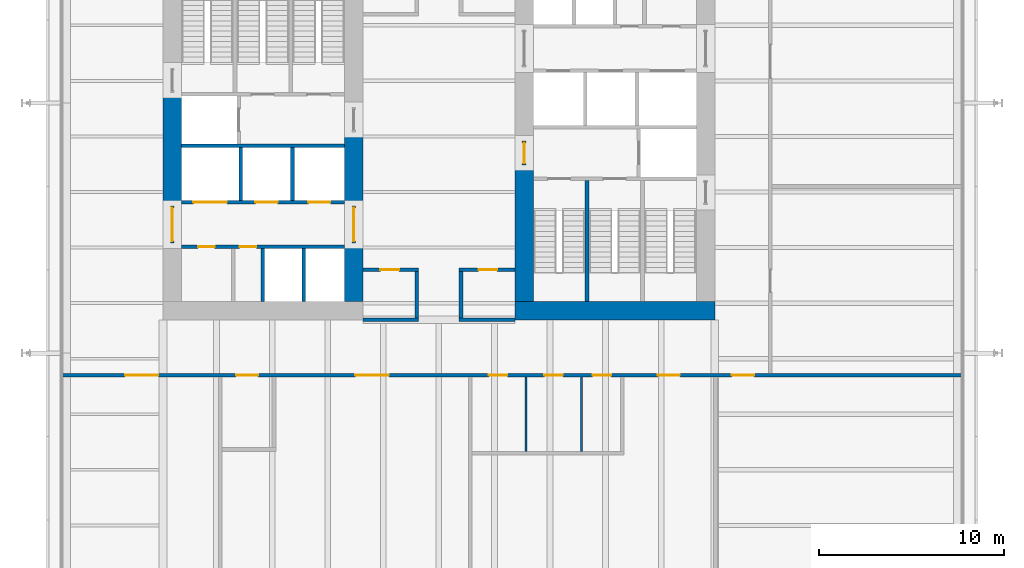
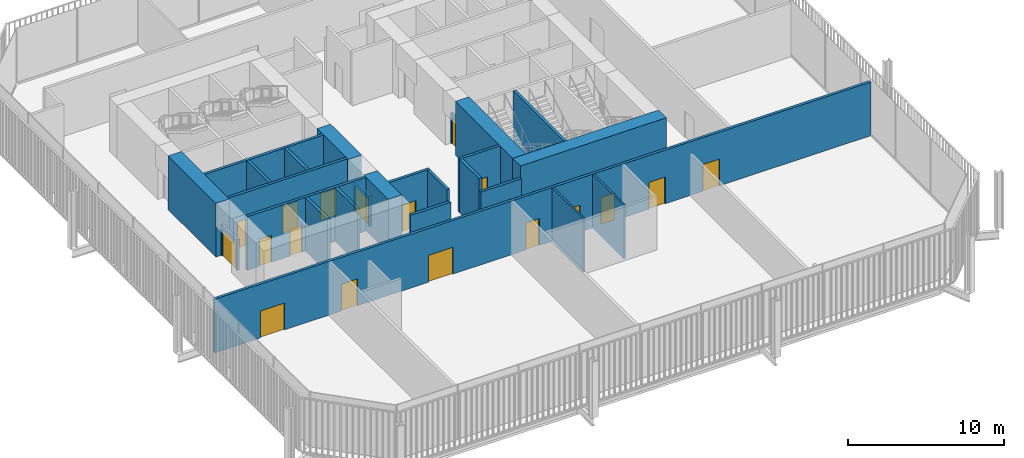
# One storey, part 16 of 20: 25 walls, 18 doors, 18 openings.
"""IFC4 building model written with IfcOpenShell, lengths in metres."""

from ifc_helpers import new_model, si_unit, direction, frame, frame_2d, origin, place, context, subcontext, project, spatial, rectangle, extrude, material, layer, layer_set, type_object, element, fill, save


model = new_model("IFC4")

# Units and contexts
model_context = context("Model", 3, precision=1e-05, world=origin(), true_north=direction((0.0, 1.0)))
body_context = subcontext(model_context, "Body", "Model", "MODEL_VIEW")
ifc_project = project(units=[si_unit("LENGTHUNIT", "METRE"), si_unit("AREAUNIT", "SQUARE_METRE"), si_unit("VOLUMEUNIT", "CUBIC_METRE"), si_unit("PLANEANGLEUNIT", "RADIAN"), si_unit("MASSUNIT", "GRAM", prefix="KILO")], contexts=[model_context])

# Site, building, storey
site_placement = place(None, origin())
site = spatial("IfcSite", under=ifc_project, at=site_placement, CompositionType="ELEMENT")
building_placement = place(site_placement, origin())
building = spatial("IfcBuilding", under=site, at=building_placement, Name="Millrace Tower", CompositionType="ELEMENT")
storey_placement = place(building_placement, frame((0.0, 0.0, 77.60009765625)))
storey = spatial("IfcBuildingStorey", under=building, at=storey_placement, Name="L17", CompositionType="ELEMENT", Elevation=77.60009765625)

# Walls
ifc_material_1 = material(Name="Concrete C80", Category="concrete")
ifc_layer_1 = layer(ifc_material_1, 1.0)
ifc_layer_set_1 = layer_set([ifc_layer_1], Name="Concrete C80")
wall_type_1 = type_object("IfcWallType", Name="Core wall 1000 Concrete C80", PredefinedType="SHEAR", material=ifc_layer_set_1)
wall_1_placement = place(storey_placement, frame((-14.39990234375, -3.75, 0.0), z_axis=(0.0, 0.0, 1.0), x_axis=(0.0, 1.0, 0.0)))
element("IfcWall", 1, at=wall_1_placement, inside=storey, type_object=wall_type_1, Name="Core wall W L17", PredefinedType="SHEAR", context=body_context, shape_type="SweptSolid", body=[
    extrude(rectangle(XDim=6.1298828125, YDim=1.0, at=frame_2d((3.06494140625, 0.0))), origin(), (0.0, 0.0, 1.0), 4.199951171875),
])
wall_2_placement = place(storey_placement, frame((-4.60009765625, -8.89990234375, 0.0), z_axis=(0.0, 0.0, 1.0), x_axis=(0.0, 1.0, 0.0)))
element("IfcWall", 2, at=wall_2_placement, inside=storey, type_object=wall_type_1, Name="Core wall W L17", PredefinedType="SHEAR", context=body_context, shape_type="SweptSolid", body=[
    extrude(rectangle(XDim=3.14990234375, YDim=1.0, at=frame_2d((1.574951171875, 0.0))), origin(), (0.0, 0.0, 1.0), 4.199951171875),
])
wall_3_placement = place(storey_placement, frame((-4.60009765625, -3.75, 0.0), z_axis=(0.0, 0.0, 1.0), x_axis=(0.0, 1.0, 0.0)))
element("IfcWall", 3, at=wall_3_placement, inside=storey, type_object=wall_type_1, Name="Core wall W L17", PredefinedType="SHEAR", context=body_context, shape_type="SweptSolid", body=[
    extrude(rectangle(XDim=4.0, YDim=1.0, at=frame_2d((2.0, 0.0))), origin(), (0.0, 0.0, 1.0), 4.199951171875),
])
wall_4_placement = place(storey_placement, frame((14.89990234375, -9.39990234375, 0.0), z_axis=(0.0, 0.0, 1.0), x_axis=(-1.0, 0.0, 0.0)))
element("IfcWall", 4, at=wall_4_placement, inside=storey, type_object=wall_type_1, Name="Core wall E L17", PredefinedType="SHEAR", context=body_context, shape_type="SweptSolid", body=[
    extrude(rectangle(XDim=10.7998046875, YDim=1.0, at=frame_2d((5.39990234375, 0.0))), origin(), (0.0, 0.0, 1.0), 4.199951171875),
])
wall_5_placement = place(storey_placement, frame((4.60009765625, -1.550048828125, 0.0), z_axis=(0.0, 0.0, 1.0), x_axis=(0.0, -1.0, 0.0)))
element("IfcWall", 5, at=wall_5_placement, inside=storey, type_object=wall_type_1, Name="Core wall E L17", PredefinedType="SHEAR", context=body_context, shape_type="SweptSolid", body=[
    extrude(rectangle(XDim=7.349853515625, YDim=1.0, at=frame_2d((3.6748046875, 0.0))), origin(), (0.0, 0.0, 1.0), 4.199951171875),
])

# Wall, openings, doors
ifc_material_2 = material(Name="Masonry partition, fire-rated", Category="masonry")
ifc_layer_2 = layer(ifc_material_2, 0.199951171875)
ifc_layer_set_2 = layer_set([ifc_layer_2], Name="Masonry partition, fire-rated")
wall_type_2 = type_object("IfcWallType", Name="Corridor wall 200", PredefinedType="PARTITIONING", material=ifc_layer_set_2)
wall_6_placement = place(storey_placement, frame((-20.330078125, -12.89990234375, 0.0), z_axis=(0.0, 0.0, 1.0), x_axis=(1.0, 0.0, 0.0)))
wall_6 = element("IfcWall", 6, at=wall_6_placement, inside=storey, type_object=wall_type_2, Name="Corridor wall L17", PredefinedType="PARTITIONING", context=body_context, shape_type="SweptSolid", body=[
    extrude(rectangle(XDim=48.56005859375, YDim=0.199951171875, at=frame_2d((24.280029296875, 0.0))), origin(), (0.0, 0.0, 1.0), 4.199951171875),
])
opening_1_placement = place(wall_6_placement, frame((3.389892578125, 0.0, 0.0)))
opening_1 = element("IfcOpeningElement", 7, at=opening_1_placement, cuts=wall_6, Name="Opening 17-P005", PredefinedType="OPENING", context=body_context, shape_type="SweptSolid", body=[
    extrude(rectangle(XDim=1.800048828125, YDim=2.10009765625, at=frame_2d((0.89990234375, 1.050048828125))), frame((0.0, 0.10986328125, 0.0), z_axis=(0.0, -1.0, 0.0), x_axis=(1.0, 0.0, 0.0)), (0.0, 0.0, 1.0), 0.219970703125),
])
opening_2_placement = place(wall_6_placement, frame((15.830078125, 0.0, 0.0)))
opening_2 = element("IfcOpeningElement", 8, at=opening_2_placement, cuts=wall_6, Name="Opening 17-P006", PredefinedType="OPENING", context=body_context, shape_type="SweptSolid", body=[
    extrude(rectangle(XDim=1.800048828125, YDim=2.10009765625, at=frame_2d((0.89990234375, 1.050048828125))), frame((0.0, 0.10986328125, 0.0), z_axis=(0.0, -1.0, 0.0), x_axis=(1.0, 0.0, 0.0)), (0.0, 0.0, 1.0), 0.219970703125),
])
opening_3_placement = place(wall_6_placement, frame((9.3798828125, 0.0, 0.0)))
opening_3 = element("IfcOpeningElement", 9, at=opening_3_placement, cuts=wall_6, Name="Opening 17-P007", PredefinedType="OPENING", context=body_context, shape_type="SweptSolid", body=[
    extrude(rectangle(XDim=1.199951171875, YDim=2.10009765625, at=frame_2d((0.60009765625, 1.050048828125))), frame((0.0, 0.10986328125, 0.0), z_axis=(0.0, -1.0, 0.0), x_axis=(1.0, 0.0, 0.0)), (0.0, 0.0, 1.0), 0.219970703125),
])
opening_4_placement = place(wall_6_placement, frame((32.14990234375, 0.0, 0.0)))
opening_4 = element("IfcOpeningElement", 10, at=opening_4_placement, cuts=wall_6, Name="Opening 17-P008", PredefinedType="OPENING", context=body_context, shape_type="SweptSolid", body=[
    extrude(rectangle(XDim=1.199951171875, YDim=2.10009765625, at=frame_2d((0.60009765625, 1.050048828125))), frame((0.0, 0.10986328125, 0.0), z_axis=(0.0, -1.0, 0.0), x_axis=(1.0, 0.0, 0.0)), (0.0, 0.0, 1.0), 0.219970703125),
])
opening_5_placement = place(wall_6_placement, frame((36.155029296875, 0.0, 0.0)))
opening_5 = element("IfcOpeningElement", 11, at=opening_5_placement, cuts=wall_6, Name="Opening 17-P009", PredefinedType="OPENING", context=body_context, shape_type="SweptSolid", body=[
    extrude(rectangle(XDim=1.199951171875, YDim=2.10009765625, at=frame_2d((0.60009765625, 1.050048828125))), frame((0.0, 0.10986328125, 0.0), z_axis=(0.0, -1.0, 0.0), x_axis=(1.0, 0.0, 0.0)), (0.0, 0.0, 1.0), 0.219970703125),
])
opening_6_placement = place(wall_6_placement, frame((23.030029296875, 0.0, 0.0)))
opening_6 = element("IfcOpeningElement", 12, at=opening_6_placement, cuts=wall_6, Name="Opening 17-P017", PredefinedType="OPENING", context=body_context, shape_type="SweptSolid", body=[
    extrude(rectangle(XDim=1.0, YDim=2.10009765625, at=frame_2d((0.5, 1.050048828125))), frame((0.0, 0.10986328125, 0.0), z_axis=(0.0, -1.0, 0.0), x_axis=(1.0, 0.0, 0.0)), (0.0, 0.0, 1.0), 0.219970703125),
])
opening_7_placement = place(wall_6_placement, frame((26.030029296875, 0.0, 0.0)))
opening_7 = element("IfcOpeningElement", 13, at=opening_7_placement, cuts=wall_6, Name="Opening 17-P018", PredefinedType="OPENING", context=body_context, shape_type="SweptSolid", body=[
    extrude(rectangle(XDim=1.0, YDim=2.10009765625, at=frame_2d((0.5, 1.050048828125))), frame((0.0, 0.10986328125, 0.0), z_axis=(0.0, -1.0, 0.0), x_axis=(1.0, 0.0, 0.0)), (0.0, 0.0, 1.0), 0.219970703125),
])
opening_8_placement = place(wall_6_placement, frame((28.6298828125, 0.0, 0.0)))
opening_8 = element("IfcOpeningElement", 14, at=opening_8_placement, cuts=wall_6, Name="Opening 17-P019", PredefinedType="OPENING", context=body_context, shape_type="SweptSolid", body=[
    extrude(rectangle(XDim=1.0, YDim=2.10009765625, at=frame_2d((0.5, 1.050048828125))), frame((0.0, 0.10986328125, 0.0), z_axis=(0.0, -1.0, 0.0), x_axis=(1.0, 0.0, 0.0)), (0.0, 0.0, 1.0), 0.219970703125),
])
ifc_material_3 = material(Name="Steel door set, fire-rated", Category="steel")
door_type_1 = type_object("IfcDoorType", Name="Corridor door 1000 x 2100", OperationType="SINGLE_SWING_LEFT", PredefinedType="DOOR", material=ifc_material_3)
door_1_placement = place(opening_6_placement, frame((1.0, 0.0, 0.0), z_axis=(0.0, 0.0, 1.0), x_axis=(-1.0, 0.0, 0.0)))
door_1 = element("IfcDoor", 15, at=door_1_placement, inside=storey, type_object=door_type_1, Name="Door 17-P017", OperationType="SINGLE_SWING_RIGHT", OverallHeight=2.10009765625, OverallWidth=1.0, PredefinedType="DOOR", context=body_context, shape_type="SweptSolid", body=[
    extrude(rectangle(XDim=1.0, YDim=2.10009765625, at=frame_2d((0.5, 1.050048828125))), frame((0.0, 0.02490234375, 0.0), z_axis=(0.0, -1.0, 0.0), x_axis=(1.0, 0.0, 0.0)), (0.0, 0.0, 1.0), 0.050048828125),
])
fill(opening_6, door_1)
door_2_placement = place(opening_7_placement, frame((1.0, 0.0, 0.0), z_axis=(0.0, 0.0, 1.0), x_axis=(-1.0, 0.0, 0.0)))
door_2 = element("IfcDoor", 16, at=door_2_placement, inside=storey, type_object=door_type_1, Name="Door 17-P018", OperationType="SINGLE_SWING_LEFT", OverallHeight=2.10009765625, OverallWidth=1.0, PredefinedType="DOOR", context=body_context, shape_type="SweptSolid", body=[
    extrude(rectangle(XDim=1.0, YDim=2.10009765625, at=frame_2d((0.5, 1.050048828125))), frame((0.0, 0.02490234375, 0.0), z_axis=(0.0, -1.0, 0.0), x_axis=(1.0, 0.0, 0.0)), (0.0, 0.0, 1.0), 0.050048828125),
])
fill(opening_7, door_2)
door_3_placement = place(opening_8_placement, frame((1.0, 0.0, 0.0), z_axis=(0.0, 0.0, 1.0), x_axis=(-1.0, 0.0, 0.0)))
door_3 = element("IfcDoor", 17, at=door_3_placement, inside=storey, type_object=door_type_1, Name="Door 17-P019", OperationType="SINGLE_SWING_LEFT", OverallHeight=2.10009765625, OverallWidth=1.0, PredefinedType="DOOR", context=body_context, shape_type="SweptSolid", body=[
    extrude(rectangle(XDim=1.0, YDim=2.10009765625, at=frame_2d((0.5, 1.050048828125))), frame((0.0, 0.02490234375, 0.0), z_axis=(0.0, -1.0, 0.0), x_axis=(1.0, 0.0, 0.0)), (0.0, 0.0, 1.0), 0.050048828125),
])
fill(opening_8, door_3)
ifc_material_4 = material(Name="Steel door set, fire-rated", Category="steel")
door_type_2 = type_object("IfcDoorType", Name="Corridor door 1200 x 2100", OperationType="SINGLE_SWING_LEFT", PredefinedType="DOOR", material=ifc_material_4)
door_4_placement = place(opening_3_placement, frame((1.199951171875, 0.0, 0.0), z_axis=(0.0, 0.0, 1.0), x_axis=(-1.0, 0.0, 0.0)))
door_4 = element("IfcDoor", 18, at=door_4_placement, inside=storey, type_object=door_type_2, Name="Door 17-P007", OperationType="SINGLE_SWING_RIGHT", OverallHeight=2.10009765625, OverallWidth=1.199951171875, PredefinedType="DOOR", context=body_context, shape_type="SweptSolid", body=[
    extrude(rectangle(XDim=1.199951171875, YDim=2.10009765625, at=frame_2d((0.60009765625, 1.050048828125))), frame((0.0, 0.02490234375, 0.0), z_axis=(0.0, -1.0, 0.0), x_axis=(1.0, 0.0, 0.0)), (0.0, 0.0, 1.0), 0.050048828125),
])
fill(opening_3, door_4)
ifc_material_5 = material(Name="Steel door set, fire-rated", Category="steel")
door_type_3 = type_object("IfcDoorType", Name="Data hall door 1200 x 2100", OperationType="SINGLE_SWING_LEFT", PredefinedType="DOOR", material=ifc_material_5)
door_5_placement = place(opening_4_placement, frame((1.199951171875, 0.0, 0.0), z_axis=(0.0, 0.0, 1.0), x_axis=(-1.0, 0.0, 0.0)))
door_5 = element("IfcDoor", 19, at=door_5_placement, inside=storey, type_object=door_type_3, Name="Door 17-P008", OperationType="SINGLE_SWING_LEFT", OverallHeight=2.10009765625, OverallWidth=1.199951171875, PredefinedType="DOOR", context=body_context, shape_type="SweptSolid", body=[
    extrude(rectangle(XDim=1.199951171875, YDim=2.10009765625, at=frame_2d((0.60009765625, 1.050048828125))), frame((0.0, 0.02490234375, 0.0), z_axis=(0.0, -1.0, 0.0), x_axis=(1.0, 0.0, 0.0)), (0.0, 0.0, 1.0), 0.050048828125),
])
fill(opening_4, door_5)
door_6_placement = place(opening_5_placement, frame((1.199951171875, 0.0, 0.0), z_axis=(0.0, 0.0, 1.0), x_axis=(-1.0, 0.0, 0.0)))
door_6 = element("IfcDoor", 20, at=door_6_placement, inside=storey, type_object=door_type_3, Name="Door 17-P009", OperationType="SINGLE_SWING_LEFT", OverallHeight=2.10009765625, OverallWidth=1.199951171875, PredefinedType="DOOR", context=body_context, shape_type="SweptSolid", body=[
    extrude(rectangle(XDim=1.199951171875, YDim=2.10009765625, at=frame_2d((0.60009765625, 1.050048828125))), frame((0.0, 0.02490234375, 0.0), z_axis=(0.0, -1.0, 0.0), x_axis=(1.0, 0.0, 0.0)), (0.0, 0.0, 1.0), 0.050048828125),
])
fill(opening_5, door_6)
ifc_material_6 = material(Name="Steel door set, fire-rated", Category="steel")
door_type_4 = type_object("IfcDoorType", Name="Data hall door 1800 x 2100", OperationType="DOUBLE_DOOR_SINGLE_SWING", PredefinedType="DOOR", material=ifc_material_6)
door_7_placement = place(opening_1_placement, frame((1.800048828125, 0.0, 0.0), z_axis=(0.0, 0.0, 1.0), x_axis=(-1.0, 0.0, 0.0)))
door_7 = element("IfcDoor", 21, at=door_7_placement, inside=storey, type_object=door_type_4, Name="Door 17-P005", OperationType="DOUBLE_DOOR_SINGLE_SWING", OverallHeight=2.10009765625, OverallWidth=1.800048828125, PredefinedType="DOOR", context=body_context, shape_type="SweptSolid", body=[
    extrude(rectangle(XDim=1.800048828125, YDim=2.10009765625, at=frame_2d((0.89990234375, 1.050048828125))), frame((0.0, 0.02490234375, 0.0), z_axis=(0.0, -1.0, 0.0), x_axis=(1.0, 0.0, 0.0)), (0.0, 0.0, 1.0), 0.050048828125),
])
fill(opening_1, door_7)
door_8_placement = place(opening_2_placement, frame((1.800048828125, 0.0, 0.0), z_axis=(0.0, 0.0, 1.0), x_axis=(-1.0, 0.0, 0.0)))
door_8 = element("IfcDoor", 22, at=door_8_placement, inside=storey, type_object=door_type_4, Name="Door 17-P006", OperationType="DOUBLE_DOOR_SINGLE_SWING", OverallHeight=2.10009765625, OverallWidth=1.800048828125, PredefinedType="DOOR", context=body_context, shape_type="SweptSolid", body=[
    extrude(rectangle(XDim=1.800048828125, YDim=2.10009765625, at=frame_2d((0.89990234375, 1.050048828125))), frame((0.0, 0.02490234375, 0.0), z_axis=(0.0, -1.0, 0.0), x_axis=(1.0, 0.0, 0.0)), (0.0, 0.0, 1.0), 0.050048828125),
])
fill(opening_2, door_8)

# Walls
for number, where, z_axis, x_axis, name in (
    (23, (-4.10009765625, -9.89990234375, 0.0), (0.0, 0.0, 1.0), (1.0, 0.0, 0.0), "Corridor wall L17"),
    (24, (1.10009765625, -9.89990234375, 0.0), (0.0, 0.0, 1.0), (1.0, 0.0, 0.0), "Corridor wall L17"),
):
    element("IfcWall", number, at=place(storey_placement, frame(where, z_axis=z_axis, x_axis=x_axis)), inside=storey, type_object=wall_type_2, Name=name, PredefinedType="PARTITIONING", context=body_context, shape_type="SweptSolid", body=[
        extrude(rectangle(XDim=3.0, YDim=0.199951171875, at=frame_2d((1.5, 0.0))), origin(), (0.0, 0.0, 1.0), 3.2626953125),
    ])

# Wall, opening, door
wall_7_placement = place(storey_placement, frame((-4.10009765625, -7.199951171875, 0.0), z_axis=(0.0, 0.0, 1.0), x_axis=(1.0, 0.0, 0.0)))
wall_7 = element("IfcWall", 25, at=wall_7_placement, inside=storey, type_object=wall_type_2, Name="Corridor wall L17", PredefinedType="PARTITIONING", context=body_context, shape_type="SweptSolid", body=[
    extrude(rectangle(XDim=3.0, YDim=0.199951171875, at=frame_2d((1.5, 0.0))), origin(), (0.0, 0.0, 1.0), 4.199951171875),
])
opening_9_placement = place(wall_7_placement, frame((0.949951171875, 0.0, 0.0)))
opening_9 = element("IfcOpeningElement", 26, at=opening_9_placement, cuts=wall_7, Name="Opening 17-P003", PredefinedType="OPENING", context=body_context, shape_type="SweptSolid", body=[
    extrude(rectangle(XDim=1.0, YDim=2.10009765625, at=frame_2d((0.5, 1.050048828125))), frame((0.0, 0.10986328125, 0.0), z_axis=(0.0, -1.0, 0.0), x_axis=(1.0, 0.0, 0.0)), (0.0, 0.0, 1.0), 0.219970703125),
])
door_9_placement = place(opening_9_placement, frame((1.0, 0.0, 0.0), z_axis=(0.0, 0.0, 1.0), x_axis=(-1.0, 0.0, 0.0)))
door_9 = element("IfcDoor", 27, at=door_9_placement, inside=storey, type_object=door_type_1, Name="Door 17-P003", OperationType="SINGLE_SWING_RIGHT", OverallHeight=2.10009765625, OverallWidth=1.0, PredefinedType="DOOR", context=body_context, shape_type="SweptSolid", body=[
    extrude(rectangle(XDim=1.0, YDim=2.10009765625, at=frame_2d((0.5, 1.050048828125))), frame((0.0, 0.02490234375, 0.0), z_axis=(0.0, -1.0, 0.0), x_axis=(1.0, 0.0, 0.0)), (0.0, 0.0, 1.0), 0.050048828125),
])
fill(opening_9, door_9)

wall_8_placement = place(storey_placement, frame((1.10009765625, -7.199951171875, 0.0), z_axis=(0.0, 0.0, 1.0), x_axis=(1.0, 0.0, 0.0)))
wall_8 = element("IfcWall", 28, at=wall_8_placement, inside=storey, type_object=wall_type_2, Name="Corridor wall L17", PredefinedType="PARTITIONING", context=body_context, shape_type="SweptSolid", body=[
    extrude(rectangle(XDim=3.0, YDim=0.199951171875, at=frame_2d((1.5, 0.0))), origin(), (0.0, 0.0, 1.0), 4.199951171875),
])
opening_10_placement = place(wall_8_placement, frame((1.050048828125, 0.0, 0.0)))
opening_10 = element("IfcOpeningElement", 29, at=opening_10_placement, cuts=wall_8, Name="Opening 17-P004", PredefinedType="OPENING", context=body_context, shape_type="SweptSolid", body=[
    extrude(rectangle(XDim=1.0, YDim=2.10009765625, at=frame_2d((0.5, 1.050048828125))), frame((0.0, 0.10986328125, 0.0), z_axis=(0.0, -1.0, 0.0), x_axis=(1.0, 0.0, 0.0)), (0.0, 0.0, 1.0), 0.219970703125),
])
door_10_placement = place(opening_10_placement, frame((1.0, 0.0, 0.0), z_axis=(0.0, 0.0, 1.0), x_axis=(-1.0, 0.0, 0.0)))
door_10 = element("IfcDoor", 30, at=door_10_placement, inside=storey, type_object=door_type_1, Name="Door 17-P004", OperationType="SINGLE_SWING_RIGHT", OverallHeight=2.10009765625, OverallWidth=1.0, PredefinedType="DOOR", context=body_context, shape_type="SweptSolid", body=[
    extrude(rectangle(XDim=1.0, YDim=2.10009765625, at=frame_2d((0.5, 1.050048828125))), frame((0.0, 0.02490234375, 0.0), z_axis=(0.0, -1.0, 0.0), x_axis=(1.0, 0.0, 0.0)), (0.0, 0.0, 1.0), 0.050048828125),
])
fill(opening_10, door_10)

# Walls
for number, where, z_axis, x_axis, name in (
    (31, (1.199951171875, -9.800048828125, 0.0), (0.0, 0.0, 1.0), (0.0, 1.0, 0.0), "Corridor wall L17"),
    (32, (-1.199951171875, -9.800048828125, 0.0), (0.0, 0.0, 1.0), (0.0, 1.0, 0.0), "Corridor wall L17"),
):
    element("IfcWall", number, at=place(storey_placement, frame(where, z_axis=z_axis, x_axis=x_axis)), inside=storey, type_object=wall_type_2, Name=name, PredefinedType="PARTITIONING", context=body_context, shape_type="SweptSolid", body=[
        extrude(rectangle(XDim=2.5, YDim=0.199951171875, at=frame_2d((1.25, 0.0))), origin(), (0.0, 0.0, 1.0), 4.199951171875),
    ])

# Wall, openings, doors
ifc_material_7 = material(Name="Masonry partition, fire-rated", Category="masonry")
ifc_layer_3 = layer(ifc_material_7, 0.199951171875)
ifc_layer_set_3 = layer_set([ifc_layer_3], Name="Masonry partition, fire-rated")
wall_type_3 = type_object("IfcWallType", Name="Lift shaft wall 200", PredefinedType="PARTITIONING", material=ifc_layer_set_3)
wall_9_placement = place(storey_placement, frame((-13.89990234375, -5.949951171875, 0.0), z_axis=(0.0, 0.0, 1.0), x_axis=(1.0, 0.0, 0.0)))
wall_9 = element("IfcWall", 33, at=wall_9_placement, inside=storey, type_object=wall_type_3, Name="Lift shaft wall W L17", PredefinedType="PARTITIONING", context=body_context, shape_type="SweptSolid", body=[
    extrude(rectangle(XDim=8.7998046875, YDim=0.199951171875, at=frame_2d((4.39990234375, 0.0))), origin(), (0.0, 0.0, 1.0), 4.199951171875),
])
opening_11_placement = place(wall_9_placement, frame((0.8974609375, 0.0, 0.0)))
opening_11 = element("IfcOpeningElement", 34, at=opening_11_placement, cuts=wall_9, Name="Opening 17-C005", PredefinedType="OPENING", context=body_context, shape_type="SweptSolid", body=[
    extrude(rectangle(XDim=0.89990234375, YDim=2.10009765625, at=frame_2d((0.449951171875, 1.050048828125))), frame((0.0, 0.10986328125, 0.0), z_axis=(0.0, -1.0, 0.0), x_axis=(1.0, 0.0, 0.0)), (0.0, 0.0, 1.0), 0.219970703125),
])
opening_12_placement = place(wall_9_placement, frame((3.1474609375, 0.0, 0.0)))
opening_12 = element("IfcOpeningElement", 35, at=opening_12_placement, cuts=wall_9, Name="Opening 17-C006", PredefinedType="OPENING", context=body_context, shape_type="SweptSolid", body=[
    extrude(rectangle(XDim=0.89990234375, YDim=2.10009765625, at=frame_2d((0.449951171875, 1.050048828125))), frame((0.0, 0.10986328125, 0.0), z_axis=(0.0, -1.0, 0.0), x_axis=(1.0, 0.0, 0.0)), (0.0, 0.0, 1.0), 0.219970703125),
])
ifc_material_8 = material(Name="Steel door, fire-rated", Category="steel")
door_type_5 = type_object("IfcDoorType", Name="Service room door 900 x 2100", OperationType="SINGLE_SWING_LEFT", PredefinedType="DOOR", material=ifc_material_8)
door_11_placement = place(opening_11_placement, frame((0.89990234375, 0.0, 0.0), z_axis=(0.0, 0.0, 1.0), x_axis=(-1.0, 0.0, 0.0)))
door_11 = element("IfcDoor", 36, at=door_11_placement, inside=storey, type_object=door_type_5, Name="Service room door 17-C005", OperationType="SINGLE_SWING_RIGHT", OverallHeight=2.10009765625, OverallWidth=0.89990234375, PredefinedType="DOOR", context=body_context, shape_type="SweptSolid", body=[
    extrude(rectangle(XDim=0.89990234375, YDim=2.10009765625, at=frame_2d((0.449951171875, 1.050048828125))), frame((0.0, 0.02490234375, 0.0), z_axis=(0.0, -1.0, 0.0), x_axis=(1.0, 0.0, 0.0)), (0.0, 0.0, 1.0), 0.050048828125),
])
fill(opening_11, door_11)
door_12_placement = place(opening_12_placement, frame((0.89990234375, 0.0, 0.0), z_axis=(0.0, 0.0, 1.0), x_axis=(-1.0, 0.0, 0.0)))
door_12 = element("IfcDoor", 37, at=door_12_placement, inside=storey, type_object=door_type_5, Name="Service room door 17-C006", OperationType="SINGLE_SWING_RIGHT", OverallHeight=2.10009765625, OverallWidth=0.89990234375, PredefinedType="DOOR", context=body_context, shape_type="SweptSolid", body=[
    extrude(rectangle(XDim=0.89990234375, YDim=2.10009765625, at=frame_2d((0.449951171875, 1.050048828125))), frame((0.0, 0.02490234375, 0.0), z_axis=(0.0, -1.0, 0.0), x_axis=(1.0, 0.0, 0.0)), (0.0, 0.0, 1.0), 0.050048828125),
])
fill(opening_12, door_12)

wall_10_placement = place(storey_placement, frame((-13.89990234375, -3.550048828125, 0.0), z_axis=(0.0, 0.0, 1.0), x_axis=(1.0, 0.0, 0.0)))
wall_10 = element("IfcWall", 38, at=wall_10_placement, inside=storey, type_object=wall_type_3, Name="Lift shaft wall W L17", PredefinedType="PARTITIONING", context=body_context, shape_type="SweptSolid", body=[
    extrude(rectangle(XDim=8.7998046875, YDim=0.199951171875, at=frame_2d((4.39990234375, 0.0))), origin(), (0.0, 0.0, 1.0), 4.199951171875),
])
opening_13_placement = place(wall_10_placement, frame((0.64990234375, 0.0, 0.0)))
opening_13 = element("IfcOpeningElement", 39, at=opening_13_placement, cuts=wall_10, Name="Opening 17-LD05", PredefinedType="OPENING", context=body_context, shape_type="SweptSolid", body=[
    extrude(rectangle(XDim=1.800048828125, YDim=2.10009765625, at=frame_2d((0.89990234375, 1.050048828125))), frame((0.0, 0.10986328125, 0.0), z_axis=(0.0, -1.0, 0.0), x_axis=(1.0, 0.0, 0.0)), (0.0, 0.0, 1.0), 0.219970703125),
])
opening_14_placement = place(wall_10_placement, frame((4.0, 0.0, 0.0)))
opening_14 = element("IfcOpeningElement", 40, at=opening_14_placement, cuts=wall_10, Name="Opening 17-LD06", PredefinedType="OPENING", context=body_context, shape_type="SweptSolid", body=[
    extrude(rectangle(XDim=1.199951171875, YDim=2.10009765625, at=frame_2d((0.60009765625, 1.050048828125))), frame((0.0, 0.10986328125, 0.0), z_axis=(0.0, -1.0, 0.0), x_axis=(1.0, 0.0, 0.0)), (0.0, 0.0, 1.0), 0.219970703125),
])
opening_15_placement = place(wall_10_placement, frame((6.85009765625, 0.0, 0.0)))
opening_15 = element("IfcOpeningElement", 41, at=opening_15_placement, cuts=wall_10, Name="Opening 17-LD07", PredefinedType="OPENING", context=body_context, shape_type="SweptSolid", body=[
    extrude(rectangle(XDim=1.199951171875, YDim=2.10009765625, at=frame_2d((0.60009765625, 1.050048828125))), frame((0.0, 0.10986328125, 0.0), z_axis=(0.0, -1.0, 0.0), x_axis=(1.0, 0.0, 0.0)), (0.0, 0.0, 1.0), 0.219970703125),
])
ifc_material_9 = material(Name="Stainless steel, fire-rated", Category="steel")
door_type_6 = type_object("IfcDoorType", Name="Lift landing door 1200 x 2100", OperationType="DOUBLE_DOOR_SLIDING", PredefinedType="DOOR", material=ifc_material_9)
door_13_placement = place(opening_14_placement, origin())
door_13 = element("IfcDoor", 42, at=door_13_placement, inside=storey, type_object=door_type_6, Name="Lift landing door LF6 L17", OperationType="DOUBLE_DOOR_SLIDING", OverallHeight=2.10009765625, OverallWidth=1.199951171875, PredefinedType="DOOR", context=body_context, shape_type="SweptSolid", body=[
    extrude(rectangle(XDim=1.199951171875, YDim=2.10009765625, at=frame_2d((0.60009765625, 1.050048828125))), frame((0.0, 0.02490234375, 0.0), z_axis=(0.0, -1.0, 0.0), x_axis=(1.0, 0.0, 0.0)), (0.0, 0.0, 1.0), 0.050048828125),
])
fill(opening_14, door_13)
door_14_placement = place(opening_15_placement, origin())
door_14 = element("IfcDoor", 43, at=door_14_placement, inside=storey, type_object=door_type_6, Name="Lift landing door LF7 L17", OperationType="DOUBLE_DOOR_SLIDING", OverallHeight=2.10009765625, OverallWidth=1.199951171875, PredefinedType="DOOR", context=body_context, shape_type="SweptSolid", body=[
    extrude(rectangle(XDim=1.199951171875, YDim=2.10009765625, at=frame_2d((0.60009765625, 1.050048828125))), frame((0.0, 0.02490234375, 0.0), z_axis=(0.0, -1.0, 0.0), x_axis=(1.0, 0.0, 0.0)), (0.0, 0.0, 1.0), 0.050048828125),
])
fill(opening_15, door_14)
ifc_material_10 = material(Name="Stainless steel, fire-rated", Category="steel")
door_type_7 = type_object("IfcDoorType", Name="Lift landing door 1800 x 2100", OperationType="DOUBLE_DOOR_SLIDING", PredefinedType="DOOR", material=ifc_material_10)
door_15_placement = place(opening_13_placement, origin())
door_15 = element("IfcDoor", 44, at=door_15_placement, inside=storey, type_object=door_type_7, Name="Lift landing door LF5 L17", OperationType="DOUBLE_DOOR_SLIDING", OverallHeight=2.10009765625, OverallWidth=1.800048828125, PredefinedType="DOOR", context=body_context, shape_type="SweptSolid", body=[
    extrude(rectangle(XDim=1.800048828125, YDim=2.10009765625, at=frame_2d((0.89990234375, 1.050048828125))), frame((0.0, 0.02490234375, 0.0), z_axis=(0.0, -1.0, 0.0), x_axis=(1.0, 0.0, 0.0)), (0.0, 0.0, 1.0), 0.050048828125),
])
fill(opening_13, door_15)

# Walls
wall_11_placement = place(storey_placement, frame((-13.89990234375, -0.5, 0.0), z_axis=(0.0, 0.0, 1.0), x_axis=(1.0, 0.0, 0.0)))
element("IfcWall", 45, at=wall_11_placement, inside=storey, type_object=wall_type_3, Name="Lift shaft wall W L17", PredefinedType="PARTITIONING", context=body_context, shape_type="SweptSolid", body=[
    extrude(rectangle(XDim=8.7998046875, YDim=0.199951171875, at=frame_2d((4.39990234375, 0.0))), origin(), (0.0, 0.0, 1.0), 4.199951171875),
])
for number, where, z_axis, x_axis, name in (
    (46, (-9.5, -8.89990234375, 0.0), (0.0, 0.0, 1.0), (0.0, 1.0, 0.0), "Lift shaft wall W L17"),
    (47, (-7.300048828125, -8.89990234375, 0.0), (0.0, 0.0, 1.0), (0.0, 1.0, 0.0), "Lift shaft wall W L17"),
    (48, (-10.699951171875, -3.449951171875, 0.0), (0.0, 0.0, 1.0), (0.0, 1.0, 0.0), "Lift shaft wall W L17"),
    (49, (-7.89990234375, -3.449951171875, 0.0), (0.0, 0.0, 1.0), (0.0, 1.0, 0.0), "Lift shaft wall W L17"),
):
    element("IfcWall", number, at=place(storey_placement, frame(where, z_axis=z_axis, x_axis=x_axis)), inside=storey, type_object=wall_type_3, Name=name, PredefinedType="PARTITIONING", context=body_context, shape_type="SweptSolid", body=[
        extrude(rectangle(XDim=2.849853515625, YDim=0.199951171875, at=frame_2d((1.4248046875, 0.0))), origin(), (0.0, 0.0, 1.0), 4.199951171875),
    ])

# Wall, opening, door
ifc_material_11 = material(Name="Masonry partition, fire-rated", Category="masonry")
ifc_layer_4 = layer(ifc_material_11, 0.199951171875)
ifc_layer_set_4 = layer_set([ifc_layer_4], Name="Masonry partition, fire-rated")
wall_type_4 = type_object("IfcWallType", Name="Lobby wall 200", PredefinedType="PARTITIONING", material=ifc_layer_set_4)
wall_12_placement = place(storey_placement, frame((-14.39990234375, -5.75, 0.0), z_axis=(0.0, 0.0, 1.0), x_axis=(0.0, 1.0, 0.0)))
wall_12 = element("IfcWall", 50, at=wall_12_placement, inside=storey, type_object=wall_type_4, Name="Lobby wall W L17", PredefinedType="PARTITIONING", context=body_context, shape_type="SweptSolid", body=[
    extrude(rectangle(XDim=2.0, YDim=0.199951171875, at=frame_2d((1.0, 0.0))), origin(), (0.0, 0.0, 1.0), 2.39990234375),
])
opening_16_placement = place(wall_12_placement, frame((0.10009765625, 0.0, 0.0)))
opening_16 = element("IfcOpeningElement", 51, at=opening_16_placement, cuts=wall_12, Name="Opening 17-C001", PredefinedType="OPENING", context=body_context, shape_type="SweptSolid", body=[
    extrude(rectangle(XDim=1.800048828125, YDim=2.10009765625, at=frame_2d((0.89990234375, 1.050048828125))), frame((0.0, 0.10986328125, 0.0), z_axis=(0.0, -1.0, 0.0), x_axis=(1.0, 0.0, 0.0)), (0.0, 0.0, 1.0), 0.219970703125),
])
ifc_material_12 = material(Name="Steel door, fire-rated", Category="steel")
door_type_8 = type_object("IfcDoorType", Name="Lobby door 1800 x 2100", OperationType="DOUBLE_DOOR_SINGLE_SWING", PredefinedType="DOOR", material=ifc_material_12)
door_16_placement = place(opening_16_placement, origin())
door_16 = element("IfcDoor", 52, at=door_16_placement, inside=storey, type_object=door_type_8, Name="Lobby door 17-C001", OperationType="DOUBLE_DOOR_SINGLE_SWING", OverallHeight=2.10009765625, OverallWidth=1.800048828125, PredefinedType="DOOR", context=body_context, shape_type="SweptSolid", body=[
    extrude(rectangle(XDim=1.800048828125, YDim=2.10009765625, at=frame_2d((0.89990234375, 1.050048828125))), frame((0.0, 0.02490234375, 0.0), z_axis=(0.0, -1.0, 0.0), x_axis=(1.0, 0.0, 0.0)), (0.0, 0.0, 1.0), 0.050048828125),
])
fill(opening_16, door_16)

wall_13_placement = place(storey_placement, frame((-4.60009765625, -5.75, 0.0), z_axis=(0.0, 0.0, 1.0), x_axis=(0.0, 1.0, 0.0)))
wall_13 = element("IfcWall", 53, at=wall_13_placement, inside=storey, type_object=wall_type_4, Name="Lobby wall W L17", PredefinedType="PARTITIONING", context=body_context, shape_type="SweptSolid", body=[
    extrude(rectangle(XDim=2.0, YDim=0.199951171875, at=frame_2d((1.0, 0.0))), origin(), (0.0, 0.0, 1.0), 2.39990234375),
])
opening_17_placement = place(wall_13_placement, frame((0.10009765625, 0.0, 0.0)))
opening_17 = element("IfcOpeningElement", 54, at=opening_17_placement, cuts=wall_13, Name="Opening 17-C003", PredefinedType="OPENING", context=body_context, shape_type="SweptSolid", body=[
    extrude(rectangle(XDim=1.800048828125, YDim=2.10009765625, at=frame_2d((0.89990234375, 1.050048828125))), frame((0.0, 0.10986328125, 0.0), z_axis=(0.0, -1.0, 0.0), x_axis=(1.0, 0.0, 0.0)), (0.0, 0.0, 1.0), 0.219970703125),
])
door_17_placement = place(opening_17_placement, origin())
door_17 = element("IfcDoor", 55, at=door_17_placement, inside=storey, type_object=door_type_8, Name="Lobby door 17-C003", OperationType="DOUBLE_DOOR_SINGLE_SWING", OverallHeight=2.10009765625, OverallWidth=1.800048828125, PredefinedType="DOOR", context=body_context, shape_type="SweptSolid", body=[
    extrude(rectangle(XDim=1.800048828125, YDim=2.10009765625, at=frame_2d((0.89990234375, 1.050048828125))), frame((0.0, 0.02490234375, 0.0), z_axis=(0.0, -1.0, 0.0), x_axis=(1.0, 0.0, 0.0)), (0.0, 0.0, 1.0), 0.050048828125),
])
fill(opening_17, door_17)

wall_14_placement = place(storey_placement, frame((4.60009765625, -0.25, 0.0), z_axis=(0.0, 0.0, 1.0), x_axis=(0.0, -1.0, 0.0)))
wall_14 = element("IfcWall", 56, at=wall_14_placement, inside=storey, type_object=wall_type_4, Name="Lobby wall E L17", PredefinedType="PARTITIONING", context=body_context, shape_type="SweptSolid", body=[
    extrude(rectangle(XDim=1.300048828125, YDim=0.199951171875, at=frame_2d((0.64990234375, 0.0))), origin(), (0.0, 0.0, 1.0), 2.39990234375),
])
opening_18_placement = place(wall_14_placement, frame((0.10009765625, 0.0, 0.0)))
opening_18 = element("IfcOpeningElement", 57, at=opening_18_placement, cuts=wall_14, Name="Opening 17-C012", PredefinedType="OPENING", context=body_context, shape_type="SweptSolid", body=[
    extrude(rectangle(XDim=1.10009765625, YDim=2.10009765625, at=frame_2d((0.550048828125, 1.050048828125))), frame((0.0, 0.10986328125, 0.0), z_axis=(0.0, -1.0, 0.0), x_axis=(1.0, 0.0, 0.0)), (0.0, 0.0, 1.0), 0.219970703125),
])
ifc_material_13 = material(Name="Steel door, fire-rated", Category="steel")
door_type_9 = type_object("IfcDoorType", Name="Lobby door 1100 x 2100", OperationType="SINGLE_SWING_LEFT", PredefinedType="DOOR", material=ifc_material_13)
door_18_placement = place(opening_18_placement, origin())
door_18 = element("IfcDoor", 58, at=door_18_placement, inside=storey, type_object=door_type_9, Name="Lobby door 17-C012", OperationType="SINGLE_SWING_RIGHT", OverallHeight=2.10009765625, OverallWidth=1.10009765625, PredefinedType="DOOR", context=body_context, shape_type="SweptSolid", body=[
    extrude(rectangle(XDim=1.10009765625, YDim=2.10009765625, at=frame_2d((0.550048828125, 1.050048828125))), frame((0.0, 0.02490234375, 0.0), z_axis=(0.0, -1.0, 0.0), x_axis=(1.0, 0.0, 0.0)), (0.0, 0.0, 1.0), 0.050048828125),
])
fill(opening_18, door_18)

# Walls
ifc_material_14 = material(Name="Gypsum board partition")
ifc_layer_5 = layer(ifc_material_14, 0.1201171875)
ifc_layer_set_5 = layer_set([ifc_layer_5], Name="Gypsum board partition")
wall_type_5 = type_object("IfcWallType", Name="Partition wall 120", PredefinedType="PARTITIONING", material=ifc_layer_set_5)
for number, where, z_axis, x_axis, name in (
    (59, (7.699951171875, -17.0, 0.0), (0.0, 0.0, 1.0), (0.0, 1.0, 0.0), "Partition wall L17"),
    (60, (4.699951171875, -17.0, 0.0), (0.0, 0.0, 1.0), (0.0, 1.0, 0.0), "Partition wall L17"),
):
    element("IfcWall", number, at=place(storey_placement, frame(where, z_axis=z_axis, x_axis=x_axis)), inside=storey, type_object=wall_type_5, Name=name, PredefinedType="PARTITIONING", context=body_context, shape_type="SweptSolid", body=[
        extrude(rectangle(XDim=4.0, YDim=0.1201171875, at=frame_2d((2.0, 0.0))), origin(), (0.0, 0.0, 1.0), 4.199951171875),
    ])
ifc_material_15 = material(Name="Concrete C40", Category="concrete")
ifc_layer_6 = layer(ifc_material_15, 0.199951171875)
ifc_layer_set_6 = layer_set([ifc_layer_6], Name="Concrete C40")
wall_type_6 = type_object("IfcWallType", Name="Stair enclosure wall 200 Concrete C40", PredefinedType="SHEAR", material=ifc_layer_set_6)
wall_15_placement = place(storey_placement, frame((8.0, -2.3798828125, 0.0), z_axis=(0.0, 0.0, 1.0), x_axis=(0.0, -1.0, 0.0)))
element("IfcWall", 61, at=wall_15_placement, inside=storey, type_object=wall_type_6, Name="Stair enclosure wall E L17", PredefinedType="SHEAR", context=body_context, shape_type="SweptSolid", body=[
    extrude(rectangle(XDim=6.52001953125, YDim=0.199951171875, at=frame_2d((3.260009765625, 0.0))), origin(), (0.0, 0.0, 1.0), 4.199951171875),
])

save(model, "model.ifc")
